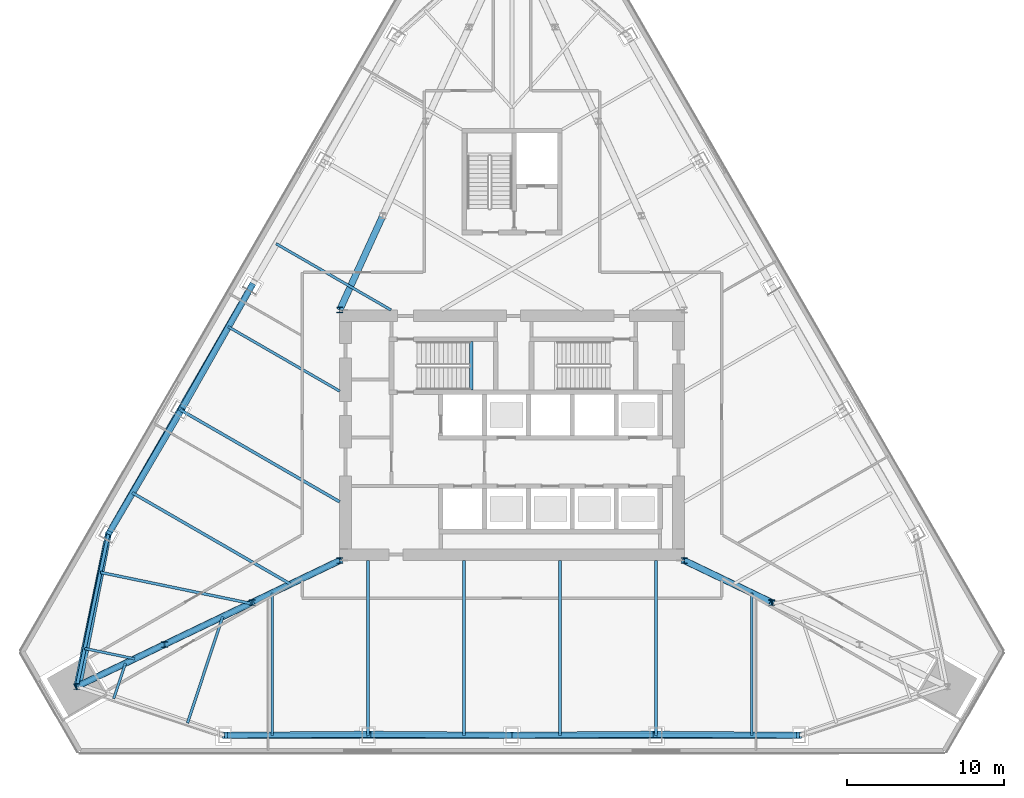
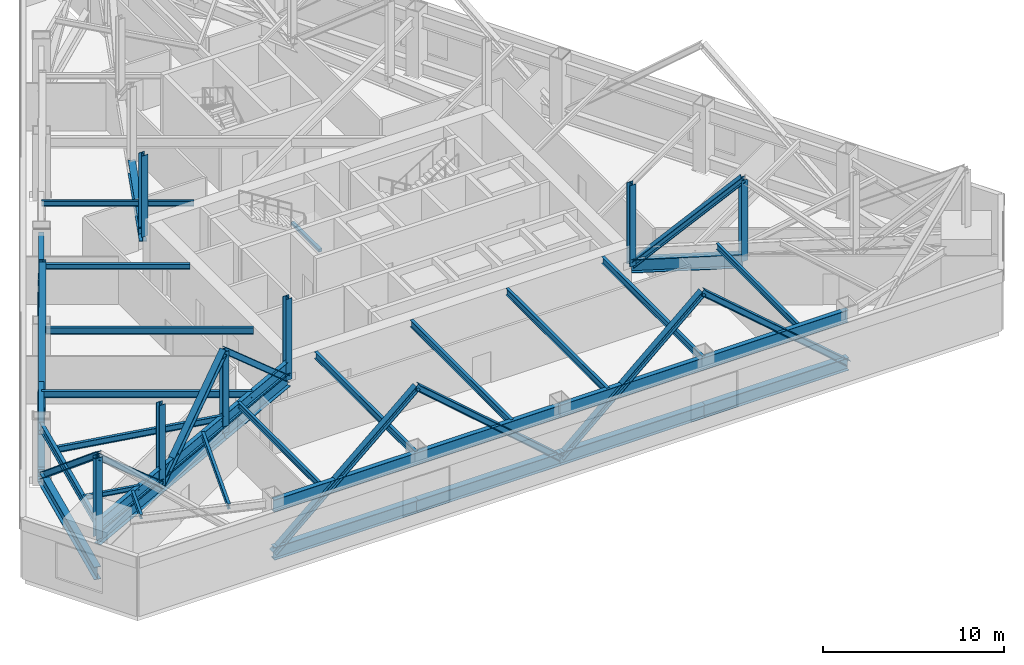
# One storey, part 2 of 13: 30 members, 20 beams.
"""IFC4 building model written with IfcOpenShell, lengths in metres."""

from ifc_helpers import new_model, si_unit, direction, frame, origin, origin_2d, place, context, subcontext, project, spatial, rectangle, i_section, extrude, material, material_profile, profile_set, type_object, element, save


model = new_model("IFC4")

# Units and contexts
model_context = context("Model", 3, precision=1e-05, world=origin(), true_north=direction((0.0, 1.0)))
body_context = subcontext(model_context, "Body", "Model", "MODEL_VIEW")
ifc_project = project(units=[si_unit("LENGTHUNIT", "METRE"), si_unit("AREAUNIT", "SQUARE_METRE"), si_unit("VOLUMEUNIT", "CUBIC_METRE"), si_unit("PLANEANGLEUNIT", "RADIAN"), si_unit("MASSUNIT", "GRAM", prefix="KILO")], contexts=[model_context])

# Site, building, storey
site_placement = place(None, origin())
site = spatial("IfcSite", under=ifc_project, at=site_placement, CompositionType="ELEMENT")
building_placement = place(site_placement, origin())
building = spatial("IfcBuilding", under=site, at=building_placement, Name="Firuza Gate Tower and Library", CompositionType="ELEMENT")
storey_placement = place(building_placement, frame((0.0, 0.0, 146.800048828125)))
storey = spatial("IfcBuildingStorey", under=building, at=storey_placement, Name="L33", CompositionType="ELEMENT", Elevation=146.800048828125)

# Beams
ifc_material_1 = material(Name="Concrete C35/45", Category="concrete")
ifc_material_profile_1 = material_profile(ifc_material_1, rectangle(XDim=0.199951171875, YDim=0.199951171875, at=origin_2d()))
ifc_profile_set_1 = profile_set([ifc_material_profile_1], Name="Concrete C35/45")
beam_type_1 = type_object("IfcBeamType", Name="Stair landing bearer 200x200", PredefinedType="BEAM", material=ifc_profile_set_1)
beam_1_placement = place(storey_placement, frame((72.39990234375, 77.89990234375, 1.949951171875), z_axis=(0.0, 1.0, 0.0), x_axis=(-1.0, 0.0, 0.0)))
element("IfcBeam", 1, at=beam_1_placement, inside=storey, type_object=beam_type_1, Name="Landing bearer L33 stair 1", PredefinedType="BEAM", context=body_context, shape_type="SweptSolid", body=[
    extrude(rectangle(XDim=0.199951171875, YDim=0.199951171875, at=origin_2d()), origin(), (0.0, 0.0, 1.0), 3.080078125),
])
ifc_material_2 = material(Name="Steel S355", Category="steel")
ifc_material_profile_2 = material_profile(ifc_material_2, i_section(OverallWidth=0.1650390625, OverallDepth=0.31005859375, WebThickness=0.005859375, FlangeThickness=0.009765625, at=origin_2d()))
ifc_profile_set_2 = profile_set([ifc_material_profile_2], Name="Steel S355")
beam_type_2 = type_object("IfcBeamType", Name="W310x39 Floor beam", PredefinedType="JOIST", material=ifc_profile_set_2)
beam_2_placement = place(storey_placement, frame((47.7119140625, 61.385009765625, 3.89501953125), z_axis=(0.979226570581, -0.202769138353, 0.0), x_axis=(0.202769138353, 0.979226570581, 0.0)))
element("IfcBeam", 2, at=beam_2_placement, inside=storey, type_object=beam_type_2, Name="Floor beam L33 s01", PredefinedType="JOIST", context=body_context, shape_type="SweptSolid", body=[
    extrude(i_section(OverallWidth=0.1650390625, OverallDepth=0.31005859375, WebThickness=0.005859375, FlangeThickness=0.009765625, at=origin_2d()), origin(), (0.0, 0.0, 1.0), 3.258056640625),
])
beam_3_placement = place(storey_placement, frame((49.56494140625, 58.17529296875, 3.89501953125), z_axis=(0.31408061988, 0.949396315674, 0.0), x_axis=(-0.949396315674, 0.31408061988, 0.0)))
element("IfcBeam", 3, at=beam_3_placement, inside=storey, type_object=beam_type_2, Name="Floor beam L33 s10", PredefinedType="JOIST", context=body_context, shape_type="SweptSolid", body=[
    extrude(i_section(OverallWidth=0.1650390625, OverallDepth=0.31005859375, WebThickness=0.005859375, FlangeThickness=0.009765625, at=origin_2d()), origin(), (0.0, 0.0, 1.0), 2.388671875),
])

# Members
ifc_material_3 = material(Name="Steel S355", Category="steel")
ifc_material_profile_3 = material_profile(ifc_material_3, i_section(OverallWidth=0.39404296875, OverallDepth=0.375, WebThickness=0.017333984375, FlangeThickness=0.027587890625, at=origin_2d()))
ifc_profile_set_3 = profile_set([ifc_material_profile_3], Name="Steel S355")
member_type_1 = type_object("IfcMemberType", Name="W360x216 Belt truss diagonal", PredefinedType="BRACE", material=ifc_profile_set_3)
member_1_placement = place(storey_placement, frame((49.22119140625, 68.675537109375, 0.427490234375), z_axis=(-0.149317107806, -0.763311527307, 0.62853791739), x_axis=(0.981399063025, -0.191978850643, 0.0)))
element("IfcMember", 4, at=member_1_placement, inside=storey, type_object=member_type_1, Name="Belt truss diagonal L33 1", PredefinedType="BRACE", context=body_context, shape_type="SweptSolid", body=[
    extrude(i_section(OverallWidth=0.39404296875, OverallDepth=0.375, WebThickness=0.017333984375, FlangeThickness=0.027587890625, at=origin_2d()), origin(), (0.0, 0.0, 1.0), 12.640625),
])
member_2_placement = place(storey_placement, frame((56.63330078125, 55.837158203125, 0.427490234375), z_axis=(0.757705414728, 0.00591550038, 0.65256992832), x_axis=(-0.007806886416, 0.999969525798, 0.0)))
element("IfcMember", 5, at=member_2_placement, inside=storey, type_object=member_type_1, Name="Belt truss diagonal L33 3", PredefinedType="BRACE", context=body_context, shape_type="SweptSolid", body=[
    extrude(i_section(OverallWidth=0.39404296875, OverallDepth=0.375, WebThickness=0.017333984375, FlangeThickness=0.027587890625, at=origin_2d()), origin(), (0.0, 0.0, 1.0), 12.175048828125),
])
for number, where, z_axis, x_axis, name in (
    (6, (65.8583984375, 55.9091796875, 8.37255859375), (0.754761831127, -0.005946339605, -0.655971965345), (0.007878187297, 0.999968966601, 0.0), "Belt truss diagonal L33 4"),
    (7, (75.0, 55.837158203125, 0.427490234375), (0.754761831127, 0.005946339605, 0.655971965345), (-0.007878187297, 0.999968966601, 0.0), "Belt truss diagonal L33 5"),
):
    element("IfcMember", number, at=place(storey_placement, frame(where, z_axis=z_axis, x_axis=x_axis)), inside=storey, type_object=member_type_1, Name=name, PredefinedType="BRACE", context=body_context, shape_type="SweptSolid", body=[
        extrude(i_section(OverallWidth=0.39404296875, OverallDepth=0.375, WebThickness=0.017333984375, FlangeThickness=0.027587890625, at=origin_2d()), origin(), (0.0, 0.0, 1.0), 12.11181640625),
    ])
member_3_placement = place(storey_placement, frame((84.1416015625, 55.9091796875, 8.37255859375), z_axis=(0.757705414728, -0.00591550038, -0.65256992832), x_axis=(0.007806886416, 0.999969525798, 0.0)))
element("IfcMember", 8, at=member_3_placement, inside=storey, type_object=member_type_1, Name="Belt truss diagonal L33 6", PredefinedType="BRACE", context=body_context, shape_type="SweptSolid", body=[
    extrude(i_section(OverallWidth=0.39404296875, OverallDepth=0.375, WebThickness=0.017333984375, FlangeThickness=0.027587890625, at=origin_2d()), origin(), (0.0, 0.0, 1.0), 12.175048828125),
])
member_4_placement = place(storey_placement, frame((58.404541015625, 84.58154296875, 0.427490234375), z_axis=(-0.372234378337, -0.656625716614, 0.655960544443), x_axis=(0.869938936803, -0.493159453154, 0.0)))
element("IfcMember", 9, at=member_4_placement, inside=storey, type_object=member_type_1, Name="Belt truss diagonal L33 17", PredefinedType="BRACE", context=body_context, shape_type="SweptSolid", body=[
    extrude(i_section(OverallWidth=0.39404296875, OverallDepth=0.375, WebThickness=0.017333984375, FlangeThickness=0.027587890625, at=origin_2d()), origin(), (0.0, 0.0, 1.0), 12.112060546875),
])
member_5_placement = place(storey_placement, frame((53.89599609375, 76.62841796875, 8.37255859375), z_axis=(-0.383973230884, -0.653223730732, -0.652582037428), x_axis=(0.862093370131, -0.506749465887, 0.0)))
element("IfcMember", 10, at=member_5_placement, inside=storey, type_object=member_type_1, Name="Belt truss diagonal L33 18", PredefinedType="BRACE", context=body_context, shape_type="SweptSolid", body=[
    extrude(i_section(OverallWidth=0.39404296875, OverallDepth=0.375, WebThickness=0.017333984375, FlangeThickness=0.027587890625, at=origin_2d()), origin(), (0.0, 0.0, 1.0), 12.1748046875),
])
ifc_material_4 = material(Name="Steel S355", Category="steel")
ifc_material_profile_4 = material_profile(ifc_material_4, i_section(OverallWidth=0.39404296875, OverallDepth=0.375, WebThickness=0.017333984375, FlangeThickness=0.027587890625, at=origin_2d()))
ifc_profile_set_4 = profile_set([ifc_material_profile_4], Name="Steel S355")
member_type_2 = type_object("IfcMemberType", Name="W360x216 Outrigger post", PredefinedType="POST", material=ifc_profile_set_4)
for number, where, z_axis, x_axis, name in (
    (11, (64.0, 83.0, 2.85595703125), (0.0, 0.0, 1.0), (1.0, 0.0, 0.0), "Outrigger NW L33 post 1"),
    (12, (86.0, 67.0, 2.85595703125), (0.0, 0.0, 1.0), (1.0, 0.0, 0.0), "Outrigger SE L33 post 1"),
    (13, (91.59716796875, 64.318359375, 2.85595703125), (0.0, 0.0, 1.0), (1.0, 0.0, 0.0), "Outrigger SE L33 post 2"),
    (14, (64.0, 67.0, 2.85595703125), (0.0, 0.0, 1.0), (1.0, 0.0, 0.0), "Outrigger SW L33 post 1"),
    (15, (58.40283203125, 64.318359375, 2.85595703125), (0.0, 0.0, 1.0), (1.0, 0.0, 0.0), "Outrigger SW L33 post 2"),
    (16, (52.805908203125, 61.636474609375, 2.85595703125), (0.0, 0.0, 1.0), (1.0, 0.0, 0.0), "Outrigger SW L33 post 3"),
    (17, (47.208740234375, 58.954833984375, 2.85595703125), (0.0, 0.0, 1.0), (1.0, 0.0, 0.0), "Outrigger SW L33 post 4"),
):
    element("IfcMember", number, at=place(storey_placement, frame(where, z_axis=z_axis, x_axis=x_axis)), inside=storey, type_object=member_type_2, Name=name, PredefinedType="POST", context=body_context, shape_type="SweptSolid", body=[
        extrude(i_section(OverallWidth=0.39404296875, OverallDepth=0.375, WebThickness=0.017333984375, FlangeThickness=0.027587890625, at=origin_2d()), origin(), (0.0, 0.0, 1.0), 5.488037109375),
    ])
ifc_material_5 = material(Name="Steel S355", Category="steel")
ifc_material_profile_5 = material_profile(ifc_material_5, i_section(OverallWidth=0.39794921875, OverallDepth=0.386962890625, WebThickness=0.02099609375, FlangeThickness=0.033203125, at=origin_2d()))
ifc_profile_set_5 = profile_set([ifc_material_profile_5], Name="Steel S355")
member_type_3 = type_object("IfcMemberType", Name="W360x262 Outrigger diagonal", PredefinedType="BRACE", material=ifc_profile_set_5)
for number, where, z_axis, x_axis, name in (
    (18, (86.0, 67.0, 2.85595703125), (0.675594200453, -0.323681701901, 0.662421793247), (0.432076191492, 0.901837105439, 0.0), "Outrigger SE L33 diagonal 1"),
    (19, (64.0, 67.0, 2.85595703125), (-0.675594200453, -0.323681701901, 0.662421793247), (0.432076191492, -0.901837105439, 0.0), "Outrigger SW L33 diagonal 1"),
):
    element("IfcMember", number, at=place(storey_placement, frame(where, z_axis=z_axis, x_axis=x_axis)), inside=storey, type_object=member_type_3, Name=name, PredefinedType="BRACE", context=body_context, shape_type="SweptSolid", body=[
        extrude(i_section(OverallWidth=0.39794921875, OverallDepth=0.386962890625, WebThickness=0.02099609375, FlangeThickness=0.033203125, at=origin_2d()), origin(), (0.0, 0.0, 1.0), 8.284912109375),
    ])
member_6_placement = place(storey_placement, frame((58.40283203125, 64.318359375, 8.343994140625), z_axis=(-0.675571737328, -0.323714527134, -0.662428662307), x_axis=(0.432123512946, -0.901814431887, 0.0)))
element("IfcMember", 20, at=member_6_placement, inside=storey, type_object=member_type_3, Name="Outrigger SW L33 diagonal 2", PredefinedType="BRACE", context=body_context, shape_type="SweptSolid", body=[
    extrude(i_section(OverallWidth=0.39794921875, OverallDepth=0.386962890625, WebThickness=0.02099609375, FlangeThickness=0.033203125, at=origin_2d()), origin(), (0.0, 0.0, 1.0), 8.28466796875),
])
member_7_placement = place(storey_placement, frame((52.805908203125, 61.636474609375, 2.85595703125), z_axis=(-0.675594200453, -0.323681701901, 0.662421793247), x_axis=(0.432076191492, -0.901837105439, 0.0)))
element("IfcMember", 21, at=member_7_placement, inside=storey, type_object=member_type_3, Name="Outrigger SW L33 diagonal 3", PredefinedType="BRACE", context=body_context, shape_type="SweptSolid", body=[
    extrude(i_section(OverallWidth=0.39794921875, OverallDepth=0.386962890625, WebThickness=0.02099609375, FlangeThickness=0.033203125, at=origin_2d()), origin(), (0.0, 0.0, 1.0), 8.284912109375),
])

# Beams
ifc_material_6 = material(Name="Steel S355", Category="steel")
ifc_material_profile_6 = material_profile(ifc_material_6, i_section(OverallWidth=0.1708984375, OverallDepth=0.35498046875, WebThickness=0.007080078125, FlangeThickness=0.01171875, at=origin_2d()))
ifc_profile_set_6 = profile_set([ifc_material_profile_6], Name="Steel S355")
beam_type_3 = type_object("IfcBeamType", Name="W360x51 Floor beam", PredefinedType="JOIST", material=ifc_profile_set_6)
beam_4_placement = place(storey_placement, frame((54.277099609375, 56.616455078125, 3.87255859375), z_axis=(0.31408061988, 0.949396315674, 0.0), x_axis=(-0.949396315674, 0.31408061988, 0.0)))
element("IfcBeam", 22, at=beam_4_placement, inside=storey, type_object=beam_type_3, Name="Floor beam L33 s11", PredefinedType="JOIST", context=body_context, shape_type="SweptSolid", body=[
    extrude(i_section(OverallWidth=0.1708984375, OverallDepth=0.35498046875, WebThickness=0.007080078125, FlangeThickness=0.01171875, at=origin_2d()), origin(), (0.0, 0.0, 1.0), 7.166015625),
])
beam_5_placement = place(storey_placement, frame((59.93505859375, 87.232421875, 3.87255859375), z_axis=(0.866026609361, -0.499997911875, 0.0), x_axis=(0.499997911875, 0.866026609361, 0.0)))
element("IfcBeam", 23, at=beam_5_placement, inside=storey, type_object=beam_type_3, Name="Floor beam L33 s82", PredefinedType="JOIST", context=body_context, shape_type="SweptSolid", body=[
    extrude(i_section(OverallWidth=0.1708984375, OverallDepth=0.35498046875, WebThickness=0.007080078125, FlangeThickness=0.01171875, at=origin_2d()), origin(), (0.0, 0.0, 1.0), 8.46484375),
])
beam_6_placement = place(storey_placement, frame((56.873779296875, 81.930419921875, 3.87255859375), z_axis=(0.866028962576, -0.499993835942, 0.0), x_axis=(0.499993835942, 0.866028962576, 0.0)))
element("IfcBeam", 24, at=beam_6_placement, inside=storey, type_object=beam_type_3, Name="Floor beam L33 s83", PredefinedType="JOIST", context=body_context, shape_type="SweptSolid", body=[
    extrude(i_section(OverallWidth=0.1708984375, OverallDepth=0.35498046875, WebThickness=0.007080078125, FlangeThickness=0.01171875, at=origin_2d()), origin(), (0.0, 0.0, 1.0), 8.228515625),
])
ifc_material_7 = material(Name="Steel S355", Category="steel")
ifc_material_profile_7 = material_profile(ifc_material_7, i_section(OverallWidth=0.177978515625, OverallDepth=0.406982421875, WebThickness=0.0078125, FlangeThickness=0.0126953125, at=origin_2d()))
ifc_profile_set_7 = profile_set([ifc_material_profile_7], Name="Steel S355")
beam_type_4 = type_object("IfcBeamType", Name="W410x60 Floor beam", PredefinedType="JOIST", material=ifc_profile_set_7)
beam_7_placement = place(storey_placement, frame((48.718017578125, 66.245361328125, 3.846435546875), z_axis=(0.979237514963, -0.202716277808, 0.0), x_axis=(0.202716277808, 0.979237514963, 0.0)))
element("IfcBeam", 25, at=beam_7_placement, inside=storey, type_object=beam_type_4, Name="Floor beam L33 s00", PredefinedType="JOIST", context=body_context, shape_type="SweptSolid", body=[
    extrude(i_section(OverallWidth=0.177978515625, OverallDepth=0.406982421875, WebThickness=0.0078125, FlangeThickness=0.0126953125, at=origin_2d()), origin(), (0.0, 0.0, 1.0), 9.7744140625),
])
for number, where, z_axis, x_axis, name in (
    (26, (59.6943359375, 55.837158203125, 3.846435546875), (0.0, 1.0, 0.0), (-1.0, 0.0, 0.0), "Floor beam L33 s20"),
    (27, (90.3056640625, 55.837158203125, 3.846435546875), (0.0, 1.0, 0.0), (-1.0, 0.0, 0.0), "Floor beam L33 s25"),
):
    element("IfcBeam", number, at=place(storey_placement, frame(where, z_axis=z_axis, x_axis=x_axis)), inside=storey, type_object=beam_type_4, Name=name, PredefinedType="JOIST", context=body_context, shape_type="SweptSolid", body=[
        extrude(i_section(OverallWidth=0.177978515625, OverallDepth=0.406982421875, WebThickness=0.0078125, FlangeThickness=0.0126953125, at=origin_2d()), origin(), (0.0, 0.0, 1.0), 9.099853515625),
    ])
ifc_material_8 = material(Name="Steel S355", Category="steel")
ifc_material_profile_8 = material_profile(ifc_material_8, i_section(OverallWidth=0.18994140625, OverallDepth=0.45703125, WebThickness=0.009033203125, FlangeThickness=0.014404296875, at=origin_2d()))
ifc_profile_set_8 = profile_set([ifc_material_profile_8], Name="Steel S355")
beam_type_5 = type_object("IfcBeamType", Name="W460x74 Floor beam", PredefinedType="JOIST", material=ifc_profile_set_8)
for number, where, z_axis, x_axis, name in (
    (28, (65.816650390625, 55.837158203125, 3.821533203125), (0.0, 1.0, 0.0), (-1.0, 0.0, 0.0), "Floor beam L33 s21"),
    (29, (71.93896484375, 55.837158203125, 3.821533203125), (0.0, 1.0, 0.0), (-1.0, 0.0, 0.0), "Floor beam L33 s22"),
    (30, (78.06103515625, 55.837158203125, 3.821533203125), (0.0, 1.0, 0.0), (-1.0, 0.0, 0.0), "Floor beam L33 s23"),
    (31, (84.183349609375, 55.837158203125, 3.821533203125), (0.0, 1.0, 0.0), (-1.0, 0.0, 0.0), "Floor beam L33 s24"),
):
    element("IfcBeam", number, at=place(storey_placement, frame(where, z_axis=z_axis, x_axis=x_axis)), inside=storey, type_object=beam_type_5, Name=name, PredefinedType="JOIST", context=body_context, shape_type="SweptSolid", body=[
        extrude(i_section(OverallWidth=0.18994140625, OverallDepth=0.45703125, WebThickness=0.009033203125, FlangeThickness=0.014404296875, at=origin_2d()), origin(), (0.0, 0.0, 1.0), 11.162841796875),
    ])
beam_8_placement = place(storey_placement, frame((53.812744140625, 76.62841796875, 3.821533203125), z_axis=(0.866026254694, -0.499998526178, 0.0), x_axis=(0.499998526178, 0.866026254694, 0.0)))
element("IfcBeam", 32, at=beam_8_placement, inside=storey, type_object=beam_type_5, Name="Floor beam L33 s84", PredefinedType="JOIST", context=body_context, shape_type="SweptSolid", body=[
    extrude(i_section(OverallWidth=0.18994140625, OverallDepth=0.45703125, WebThickness=0.009033203125, FlangeThickness=0.014404296875, at=origin_2d()), origin(), (0.0, 0.0, 1.0), 11.76318359375),
])
beam_9_placement = place(storey_placement, frame((50.751708984375, 71.326416015625, 3.821533203125), z_axis=(0.866025979552, -0.499999002741, 0.0), x_axis=(0.499999002741, 0.866025979552, 0.0)))
element("IfcBeam", 33, at=beam_9_placement, inside=storey, type_object=beam_type_5, Name="Floor beam L33 s85", PredefinedType="JOIST", context=body_context, shape_type="SweptSolid", body=[
    extrude(i_section(OverallWidth=0.18994140625, OverallDepth=0.45703125, WebThickness=0.009033203125, FlangeThickness=0.014404296875, at=origin_2d()), origin(), (0.0, 0.0, 1.0), 11.66650390625),
])
ifc_material_9 = material(Name="Steel S355", Category="steel")
ifc_material_profile_9 = material_profile(ifc_material_9, i_section(OverallWidth=0.212890625, OverallDepth=0.5390625, WebThickness=0.01171875, FlangeThickness=0.018798828125, at=origin_2d()))
ifc_profile_set_9 = profile_set([ifc_material_profile_9], Name="Steel S355")
beam_type_6 = type_object("IfcBeamType", Name="W530x109 Edge beam", PredefinedType="SPANDREL", material=ifc_profile_set_9)
beam_10_placement = place(storey_placement, frame((49.22119140625, 68.675537109375, 3.780517578125), z_axis=(-0.202728404221, -0.979235004543, 0.0), x_axis=(0.979235004543, -0.202728404221, 0.0)))
element("IfcBeam", 34, at=beam_10_placement, inside=storey, type_object=beam_type_6, Name="Edge beam L33 e00", PredefinedType="SPANDREL", context=body_context, shape_type="SweptSolid", body=[
    extrude(i_section(OverallWidth=0.212890625, OverallDepth=0.5390625, WebThickness=0.01171875, FlangeThickness=0.018798828125, at=origin_2d()), origin(), (0.0, 0.0, 1.0), 9.9267578125),
])
ifc_material_10 = material(Name="Steel S355", Category="steel")
ifc_material_profile_10 = material_profile(ifc_material_10, i_section(OverallWidth=0.264892578125, OverallDepth=0.7529296875, WebThickness=0.01318359375, FlangeThickness=0.01708984375, at=origin_2d()))
ifc_profile_set_10 = profile_set([ifc_material_profile_10], Name="Steel S355")
beam_type_7 = type_object("IfcBeamType", Name="W760x147 Girder", PredefinedType="BEAM", material=ifc_profile_set_10)
beam_11_placement = place(storey_placement, frame((47.208740234375, 58.954833984375, 3.67333984375), z_axis=(0.901829547957, 0.432091965248, 0.0), x_axis=(-0.432091965248, 0.901829547957, 0.0)))
element("IfcBeam", 35, at=beam_11_placement, inside=storey, type_object=beam_type_7, Name="Girder L33 gSW", PredefinedType="BEAM", context=body_context, shape_type="SweptSolid", body=[
    extrude(i_section(OverallWidth=0.264892578125, OverallDepth=0.7529296875, WebThickness=0.01318359375, FlangeThickness=0.01708984375, at=origin_2d()), origin(), (0.0, 0.0, 1.0), 18.619140625),
])
ifc_material_11 = material(Name="Steel S355", Category="steel")
ifc_material_profile_11 = material_profile(ifc_material_11, i_section(OverallWidth=0.2919921875, OverallDepth=0.8349609375, WebThickness=0.013916015625, FlangeThickness=0.018798828125, at=origin_2d()))
ifc_profile_set_11 = profile_set([ifc_material_profile_11], Name="Steel S355")
beam_type_8 = type_object("IfcBeamType", Name="W840x176 Edge beam", PredefinedType="SPANDREL", material=ifc_profile_set_11)
for number, where, z_axis, x_axis, name in (
    (36, (56.63330078125, 55.837158203125, 3.632568359375), (1.0, 0.0, 0.0), (0.0, 1.0, 0.0), "Edge beam L33 e20"),
    (37, (75.0, 55.837158203125, 3.632568359375), (1.0, 0.0, 0.0), (0.0, 1.0, 0.0), "Edge beam L33 e22"),
    (38, (58.404541015625, 84.58154296875, 3.632568359375), (-0.500000524512, -0.866025100957, 0.0), (0.866025100957, -0.500000524512, 0.0), "Edge beam L33 e82"),
):
    element("IfcBeam", number, at=place(storey_placement, frame(where, z_axis=z_axis, x_axis=x_axis)), inside=storey, type_object=beam_type_8, Name=name, PredefinedType="SPANDREL", context=body_context, shape_type="SweptSolid", body=[
        extrude(i_section(OverallWidth=0.2919921875, OverallDepth=0.8349609375, WebThickness=0.013916015625, FlangeThickness=0.018798828125, at=origin_2d()), origin(), (0.0, 0.0, 1.0), 18.36669921875),
    ])

# Members
ifc_material_12 = material(Name="Steel S355", Category="steel")
ifc_material_profile_12 = material_profile(ifc_material_12, i_section(OverallWidth=0.39990234375, OverallDepth=0.85498046875, WebThickness=0.018310546875, FlangeThickness=0.029296875, at=origin_2d()))
ifc_profile_set_12 = profile_set([ifc_material_profile_12], Name="Steel S355")
member_type_4 = type_object("IfcMemberType", Name="W840x299 Belt truss chord", PredefinedType="CHORD", material=ifc_profile_set_12)
member_8_placement = place(storey_placement, frame((49.22119140625, 68.675537109375, 0.427490234375), z_axis=(-0.202728404221, -0.979235004543, 0.0), x_axis=(0.979235004543, -0.202728404221, 0.0)))
element("IfcMember", 39, at=member_8_placement, inside=storey, type_object=member_type_4, Name="Belt truss bottom chord L33 1", PredefinedType="CHORD", context=body_context, shape_type="SweptSolid", body=[
    extrude(i_section(OverallWidth=0.39990234375, OverallDepth=0.85498046875, WebThickness=0.018310546875, FlangeThickness=0.029296875, at=origin_2d()), origin(), (0.0, 0.0, 1.0), 9.9267578125),
])
for number, where, z_axis, x_axis, name in (
    (40, (56.63330078125, 55.837158203125, 0.427490234375), (1.0, 0.0, 0.0), (0.0, 1.0, 0.0), "Belt truss bottom chord L33 3"),
    (41, (65.816650390625, 55.837158203125, 0.427490234375), (1.0, 0.0, 0.0), (0.0, 1.0, 0.0), "Belt truss bottom chord L33 4"),
    (42, (75.0, 55.837158203125, 0.427490234375), (1.0, 0.0, 0.0), (0.0, 1.0, 0.0), "Belt truss bottom chord L33 5"),
    (43, (84.183349609375, 55.837158203125, 0.427490234375), (1.0, 0.0, 0.0), (0.0, 1.0, 0.0), "Belt truss bottom chord L33 6"),
):
    element("IfcMember", number, at=place(storey_placement, frame(where, z_axis=z_axis, x_axis=x_axis)), inside=storey, type_object=member_type_4, Name=name, PredefinedType="CHORD", context=body_context, shape_type="SweptSolid", body=[
        extrude(i_section(OverallWidth=0.39990234375, OverallDepth=0.85498046875, WebThickness=0.018310546875, FlangeThickness=0.029296875, at=origin_2d()), origin(), (0.0, 0.0, 1.0), 9.183349609375),
    ])
member_9_placement = place(storey_placement, frame((58.404541015625, 84.58154296875, 0.427490234375), z_axis=(-0.500004737999, -0.866022668282, 0.0), x_axis=(0.866022668282, -0.500004737999, 0.0)))
element("IfcMember", 44, at=member_9_placement, inside=storey, type_object=member_type_4, Name="Belt truss bottom chord L33 17", PredefinedType="CHORD", context=body_context, shape_type="SweptSolid", body=[
    extrude(i_section(OverallWidth=0.39990234375, OverallDepth=0.85498046875, WebThickness=0.018310546875, FlangeThickness=0.029296875, at=origin_2d()), origin(), (0.0, 0.0, 1.0), 9.18359375),
])
member_10_placement = place(storey_placement, frame((53.812744140625, 76.62841796875, 0.427490234375), z_axis=(-0.499996310861, -0.8660275337, 0.0), x_axis=(0.8660275337, -0.499996310861, 0.0)))
element("IfcMember", 45, at=member_10_placement, inside=storey, type_object=member_type_4, Name="Belt truss bottom chord L33 18", PredefinedType="CHORD", context=body_context, shape_type="SweptSolid", body=[
    extrude(i_section(OverallWidth=0.39990234375, OverallDepth=0.85498046875, WebThickness=0.018310546875, FlangeThickness=0.029296875, at=origin_2d()), origin(), (0.0, 0.0, 1.0), 9.18310546875),
])
ifc_material_13 = material(Name="Steel S355", Category="steel")
ifc_material_profile_13 = material_profile(ifc_material_13, i_section(OverallWidth=0.41796875, OverallDepth=0.912109375, WebThickness=0.019287109375, FlangeThickness=0.031982421875, at=origin_2d()))
ifc_profile_set_13 = profile_set([ifc_material_profile_13], Name="Steel S355")
member_type_5 = type_object("IfcMemberType", Name="W920x342 Outrigger chord", PredefinedType="CHORD", material=ifc_profile_set_13)
member_11_placement = place(storey_placement, frame((64.0, 83.0, 2.85595703125), z_axis=(0.41535536852, 0.909659231713, 0.0), x_axis=(-0.909659231713, 0.41535536852, 0.0)))
element("IfcMember", 46, at=member_11_placement, inside=storey, type_object=member_type_5, Name="Outrigger NW L33 bottom chord 1", PredefinedType="CHORD", context=body_context, shape_type="SweptSolid", body=[
    extrude(i_section(OverallWidth=0.41796875, OverallDepth=0.912109375, WebThickness=0.019287109375, FlangeThickness=0.031982421875, at=origin_2d()), origin(), (0.0, 0.0, 1.0), 6.620849609375),
])
for number, where, z_axis, x_axis, name in (
    (47, (86.0, 67.0, 2.85595703125), (0.901837105439, -0.432076191492, 0.0), (0.432076191492, 0.901837105439, 0.0), "Outrigger SE L33 bottom chord 1"),
    (48, (64.0, 67.0, 2.85595703125), (-0.901837105439, -0.432076191492, 0.0), (0.432076191492, -0.901837105439, 0.0), "Outrigger SW L33 bottom chord 1"),
    (49, (58.40283203125, 64.318359375, 2.85595703125), (-0.901814431887, -0.432123512946, 0.0), (0.432123512946, -0.901814431887, 0.0), "Outrigger SW L33 bottom chord 2"),
    (50, (52.805908203125, 61.636474609375, 2.85595703125), (-0.901837105439, -0.432076191492, 0.0), (0.432076191492, -0.901837105439, 0.0), "Outrigger SW L33 bottom chord 3"),
):
    element("IfcMember", number, at=place(storey_placement, frame(where, z_axis=z_axis, x_axis=x_axis)), inside=storey, type_object=member_type_5, Name=name, PredefinedType="CHORD", context=body_context, shape_type="SweptSolid", body=[
        extrude(i_section(OverallWidth=0.41796875, OverallDepth=0.912109375, WebThickness=0.019287109375, FlangeThickness=0.031982421875, at=origin_2d()), origin(), (0.0, 0.0, 1.0), 6.206298828125),
    ])

save(model, "model.ifc")
